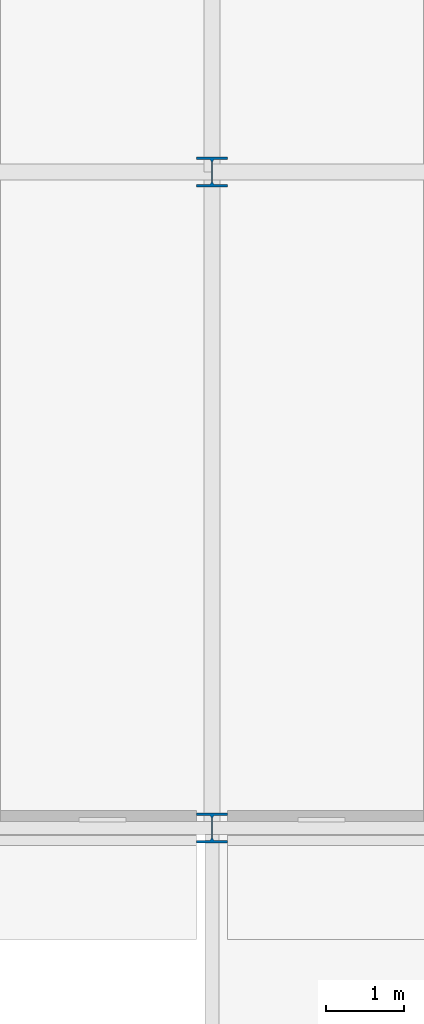
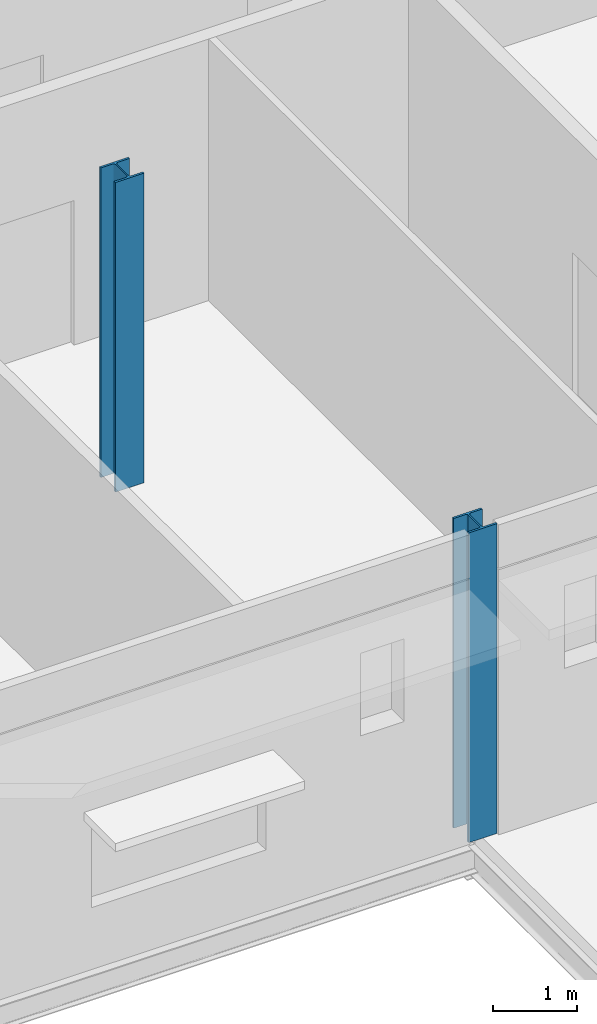
# One storey, part 3 of 121: 2 columns.
"""IFC4 building model written with IfcOpenShell, lengths in metres."""

import ifcopenshell
import ifcopenshell.guid

model = None  # the IFC model being written
_history = None  # IfcOwnerHistory: only IFC2X3 demands one
_inside = {}  # id of a spatial element -> (the spatial element, [elements in it])
_under = {}  # id of a project, library or spatial element -> (it, [spatial elements below it])
_declared = {}  # id of a project -> (the project, [libraries it declares])
_typed = {}  # id of a type object -> (the type object, [elements of that type])
_made_of = {}  # id of a material, layer set ... -> (it, [elements and type objects made of it])


def new_model(schema):
    """Start an empty IFC model of exactly this schema.

    Asked for "IFC4X3", IfcOpenShell would pick the latest addendum, in which some entities
    have other attributes; the version numbers below select the first issue.
    IFC2X3 requires an IfcOwnerHistory on every rooted entity: one is made here for all.
    """
    global model, _history
    if schema == "IFC4X3":
        model = ifcopenshell.file(schema_version=(4, 3, 0, 0))
    else:
        model = ifcopenshell.file(schema=schema)
    _inside.clear()
    _under.clear()
    _declared.clear()
    _typed.clear()
    _made_of.clear()
    _history = None
    if model.schema == "IFC2X3":
        org = make("IfcOrganization", Name="unknown")
        user = make(
            "IfcPersonAndOrganization",
            ThePerson=make("IfcPerson", FamilyName="unknown"),
            TheOrganization=org,
        )
        app = make(
            "IfcApplication",
            ApplicationDeveloper=org,
            Version="unknown",
            ApplicationFullName="unknown",
            ApplicationIdentifier="unknown",
        )
        _history = make(
            "IfcOwnerHistory",
            OwningUser=user,
            OwningApplication=app,
            ChangeAction="ADDED",
            CreationDate=0,
        )
    return model


def make(cls, **values):
    """One entity of the class cls with the attributes given. An attribute that is None is left unset."""
    return model.create_entity(
        cls, **{name: value for name, value in values.items() if value is not None}
    )


def rooted(cls, **values):
    """An entity with a GlobalId (a new one), such as an element, a storey or a relation."""
    return make(cls, GlobalId=ifcopenshell.guid.new(), OwnerHistory=_history, **values)


def si_unit(unit_type, name, prefix=None):
    """IfcSIUnit, for example si_unit("LENGTHUNIT", "METRE", prefix="MILLI")."""
    return make("IfcSIUnit", UnitType=unit_type, Prefix=prefix, Name=name)


def assignment(units):
    """IfcUnitAssignment: the units of a project."""
    return None if units is None else make("IfcUnitAssignment", Units=units)


def point(xyz):
    """IfcCartesianPoint."""
    return None if xyz is None else make("IfcCartesianPoint", Coordinates=xyz)


def direction(xyz):
    """IfcDirection."""
    return None if xyz is None else make("IfcDirection", DirectionRatios=xyz)


def frame(location, z_axis=None, x_axis=None):
    """IfcAxis2Placement3D, a coordinate frame: its origin and axes. An axis left out is left unset."""
    return make(
        "IfcAxis2Placement3D",
        Location=point(location),
        Axis=direction(z_axis),
        RefDirection=direction(x_axis),
    )


def frame_2d(location, x_axis=None):
    """IfcAxis2Placement2D, a coordinate frame in the plane: its origin and x axis."""
    return make(
        "IfcAxis2Placement2D", Location=point(location), RefDirection=direction(x_axis)
    )


def origin():
    """The frame at (0, 0, 0) with its axes left unset."""
    return frame((0.0, 0.0, 0.0))


def origin_2d():
    """The frame at (0, 0) in the plane with its x axis left unset."""
    return frame_2d((0.0, 0.0))


def place(relative_to, where):
    """IfcLocalPlacement: puts the frame where relative to a parent placement (None: the world)."""
    return make(
        "IfcLocalPlacement", PlacementRelTo=relative_to, RelativePlacement=where
    )


def context(
    kind, dimensions, precision=None, world=None, true_north=None, identifier=None
):
    """IfcGeometricRepresentationContext, for example the 3D "Model" context."""
    return make(
        "IfcGeometricRepresentationContext",
        ContextIdentifier=identifier,
        ContextType=kind,
        CoordinateSpaceDimension=dimensions,
        Precision=precision,
        WorldCoordinateSystem=world,
        TrueNorth=true_north,
    )


def subcontext(parent, identifier, kind, view, scale=None):
    """IfcGeometricRepresentationSubContext, for example "Body" below "Model"."""
    return make(
        "IfcGeometricRepresentationSubContext",
        ContextIdentifier=identifier,
        ContextType=kind,
        ParentContext=parent,
        TargetScale=scale,
        TargetView=view,
    )


def project(units=None, contexts=None):
    """IfcProject with its units and contexts."""
    return rooted(
        "IfcProject",
        Name="project",
        RepresentationContexts=contexts,
        UnitsInContext=assignment(units),
    )


def spatial(cls, under=None, at=None, **own):
    """A site, building, storey or space (cls), placed at a placement, below another one or the project."""
    s = rooted(cls, ObjectPlacement=at, **own)
    if under is not None:
        _under.setdefault(under.id(), (under, []))[1].append(s)
    return s


def profile(cls, at=None, kind="AREA", **sizes):
    """A parametric profile (cls). Its sizes go by their IFC names, for example OverallWidth=200.0."""
    return make(cls, ProfileType=kind, Position=at, **sizes)


def i_section(**sizes):
    """IfcIShapeProfileDef."""
    return profile("IfcIShapeProfileDef", **sizes)


def extrude(swept, where, along, depth):
    """IfcExtrudedAreaSolid: the profile swept, set in the frame where, extruded along a direction by depth."""
    return make(
        "IfcExtrudedAreaSolid",
        SweptArea=swept,
        Position=where,
        ExtrudedDirection=direction(along),
        Depth=depth,
    )


def shape(context_of_items, identifier, shape_type, items):
    """IfcShapeRepresentation: the items that make up one representation, for example the "Body"."""
    return make(
        "IfcShapeRepresentation",
        ContextOfItems=context_of_items,
        RepresentationIdentifier=identifier,
        RepresentationType=shape_type,
        Items=items,
    )


def material(Name=None, Category=None):
    """IfcMaterial."""
    return make("IfcMaterial", Name=Name, Category=Category)


def material_profile(
    of_material, cross_section, Name=None, Category=None, Priority=None
):
    """IfcMaterialProfile: a cross section and its material."""
    return make(
        "IfcMaterialProfile",
        Name=Name,
        Material=of_material,
        Profile=cross_section,
        Priority=Priority,
        Category=Category,
    )


def profile_set(profiles, Name=None, composite=None):
    """IfcMaterialProfileSet."""
    return make(
        "IfcMaterialProfileSet",
        Name=Name,
        MaterialProfiles=profiles,
        CompositeProfile=composite,
    )


def made_of(thing, what):
    """Note that an element or type object is made of a material, layer set ...; save() writes the relation."""
    if what is not None:
        _made_of.setdefault(what.id(), (what, []))[1].append(thing)
    return thing


def type_object(cls, material=None, **own):
    """A type object (cls), such as IfcWallType, which elements share."""
    return made_of(rooted(cls, **own), material)


def element(
    cls,
    number,
    at=None,
    inside=None,
    cuts=None,
    type_object=None,
    material=None,
    context=None,
    identifier="Body",
    shape_type=None,
    held_by="IfcProductDefinitionShape",
    body=None,
    shapes=None,
    **own,
):
    """One element of the class cls, such as IfcWall. Its Tag is "e" and its number.

    at: its placement. inside: the storey or other place that contains it. cuts: it is an
    opening in that element (IfcRelVoidsElement). A single representation is given by context,
    identifier, shape_type and body (its items); several are given by shapes. held_by: the class
    of the entity that holds the representations. save() writes the other relations.
    """
    e = rooted(cls, Tag="e%d" % number, ObjectPlacement=at, **own)
    if body is not None:
        shapes = [shape(context, identifier, shape_type, body)]
    if shapes is not None:
        e.Representation = make(held_by, Representations=shapes)
    if inside is not None:
        _inside.setdefault(inside.id(), (inside, []))[1].append(e)
    if cuts is not None:
        rooted(
            "IfcRelVoidsElement", RelatingBuildingElement=cuts, RelatedOpeningElement=e
        )
    if type_object is not None:
        _typed.setdefault(type_object.id(), (type_object, []))[1].append(e)
    return made_of(e, material)


def aggregate(whole, parts):
    """IfcRelAggregates: a whole, such as a stair, and the parts it consists of."""
    return rooted("IfcRelAggregates", RelatingObject=whole, RelatedObjects=parts)


def save(model, path):
    """Write the relations noted so far, then the file.

    IfcRelAggregates (storeys below a building ...), IfcRelContainedInSpatialStructure (elements
    in a storey), IfcRelDefinesByType, IfcRelAssociatesMaterial and IfcRelDeclares: one each for
    every whole, place, type object, material and project.
    """
    for whole, parts in _under.values():
        aggregate(whole, parts)
    for where, things in _inside.values():
        rooted(
            "IfcRelContainedInSpatialStructure",
            RelatedElements=things,
            RelatingStructure=where,
        )
    for kind, things in _typed.values():
        rooted("IfcRelDefinesByType", RelatedObjects=things, RelatingType=kind)
    for what, things in _made_of.values():
        rooted("IfcRelAssociatesMaterial", RelatedObjects=things, RelatingMaterial=what)
    for by, libraries in _declared.values():
        rooted("IfcRelDeclares", RelatingContext=by, RelatedDefinitions=libraries)
    model.write(path)


model = new_model("IFC4")

# Units and contexts
model_context = context("Model", 3, precision=1e-05, world=origin(), true_north=direction((0.0, 1.0)))
body_context = subcontext(model_context, "Body", "Model", "MODEL_VIEW")
ifc_project = project(units=[si_unit("LENGTHUNIT", "METRE"), si_unit("AREAUNIT", "SQUARE_METRE"), si_unit("VOLUMEUNIT", "CUBIC_METRE"), si_unit("PLANEANGLEUNIT", "RADIAN"), si_unit("MASSUNIT", "GRAM", prefix="KILO")], contexts=[model_context])

# Site, building, storey
site_placement = place(None, origin())
site = spatial("IfcSite", under=ifc_project, at=site_placement, CompositionType="ELEMENT")
building_placement = place(site_placement, origin())
building = spatial("IfcBuilding", under=site, at=building_placement, Name="Ardhachandra Cancer Care Centre", CompositionType="ELEMENT")
storey_placement = place(building_placement, frame((0.0, 0.0, 9.0)))
storey = spatial("IfcBuildingStorey", under=building, at=storey_placement, Name="L02", CompositionType="ELEMENT", Elevation=9.0)

# Columns
ifc_material = material(Name="Steel E350 (IS 2062)", Category="steel")
ifc_material_profile = material_profile(ifc_material, i_section(OverallWidth=0.39501953125, OverallDepth=0.3798828125, WebThickness=0.018798828125, FlangeThickness=0.0302734375, FilletRadius=0.027099609375, at=origin_2d()), Name="WPB 400x400x239.62")
ifc_profile_set = profile_set([ifc_material_profile], Name="Steel E350 (IS 2062)")
column_type = type_object("IfcColumnType", Name="Column WPB 400x400x239.62", PredefinedType="COLUMN", material=ifc_profile_set)
for number, where, z_axis, x_axis, name in (
    (1, (128.39990234375, 79.800048828125, 0.0), (0.0, 0.0, 1.0), (1.0, 0.0, 0.0), "Column J15 L02"),
    (2, (128.39990234375, 88.199951171875, 0.0), (0.0, 0.0, 1.0), (1.0, 0.0, 0.0), "Column K15 L02"),
):
    element("IfcColumn", number, at=place(storey_placement, frame(where, z_axis=z_axis, x_axis=x_axis)), inside=storey, type_object=column_type, Name=name, PredefinedType="COLUMN", context=body_context, shape_type="SweptSolid", body=[
        extrude(i_section(OverallWidth=0.39501953125, OverallDepth=0.3798828125, WebThickness=0.018798828125, FlangeThickness=0.0302734375, FilletRadius=0.027099609375, at=origin_2d()), origin(), (0.0, 0.0, 1.0), 4.5),
    ])

save(model, "model.ifc")
